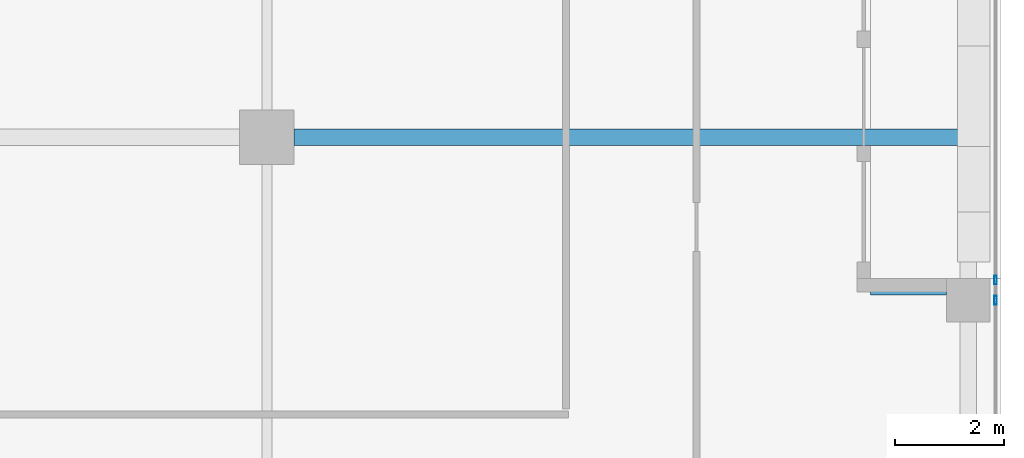
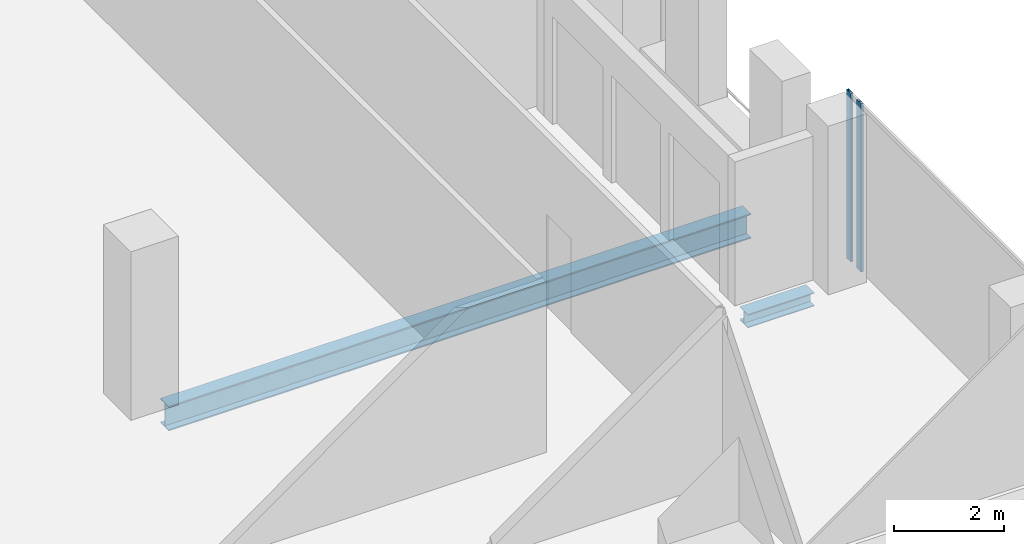
# One storey, part 10 of 29: 2 beams, 2 members, 1 element without a shape of its own.
"""IFC4 building model written with IfcOpenShell, lengths in metres."""

from ifc_helpers import new_model, si_unit, direction, frame, origin, origin_2d, place, context, subcontext, project, spatial, hollow_rectangle, i_section, extrude, source, transform, mapped, material, material_profile, profile_set, type_object, element, aggregate, save


model = new_model("IFC4")

# Units and contexts
model_context = context("Model", 3, precision=1e-05, world=origin(), true_north=direction((0.0, 1.0)))
body_context = subcontext(model_context, "Body", "Model", "MODEL_VIEW")
ifc_project = project(units=[si_unit("LENGTHUNIT", "METRE"), si_unit("AREAUNIT", "SQUARE_METRE"), si_unit("VOLUMEUNIT", "CUBIC_METRE"), si_unit("PLANEANGLEUNIT", "RADIAN"), si_unit("MASSUNIT", "GRAM", prefix="KILO")], contexts=[model_context])

# Site, building, storey
site_placement = place(None, origin())
site = spatial("IfcSite", under=ifc_project, at=site_placement, CompositionType="ELEMENT")
building_placement = place(site_placement, origin())
building = spatial("IfcBuilding", under=site, at=building_placement, Name="Khomas Fold Tower", CompositionType="ELEMENT")
storey_placement = place(building_placement, frame((0.0, 0.0, 326.199951171875)))
storey = spatial("IfcBuildingStorey", under=building, at=storey_placement, Name="L74", CompositionType="ELEMENT", Elevation=326.199951171875)

# Beams
ifc_material_1 = material(Name="Steel S355", Category="steel")
ifc_material_profile_1 = material_profile(ifc_material_1, i_section(OverallWidth=0.300048828125, OverallDepth=0.550048828125, WebThickness=0.014892578125, FlangeThickness=0.029052734375, at=origin_2d()), Name="HE 550 B")
ifc_profile_set_1 = profile_set([ifc_material_profile_1], Name="Steel S355")
beam_type_1 = type_object("IfcBeamType", Name="HE 550 B beam GB4", PredefinedType="BEAM", material=ifc_profile_set_1)
shared_shape_1 = source(origin(), body_context, "Body", "SweptSolid", [
    extrude(i_section(OverallWidth=0.300048828125, OverallDepth=0.550048828125, WebThickness=0.014892578125, FlangeThickness=0.029052734375, at=origin_2d()), origin(), (0.0, 0.0, 1.0), 12.25),
])
beam_1_placement = place(storey_placement, frame((35.0, 22.5, -0.52490234375), z_axis=(1.0, 0.0, 0.0), x_axis=(0.0, 1.0, 0.0)))
element("IfcBeam", 1, at=beam_1_placement, inside=storey, type_object=beam_type_1, Name="GB4", PredefinedType="BEAM", context=body_context, shape_type="MappedRepresentation", body=[
    mapped(shared_shape_1, transform((0.0, 0.0, 0.0))),
])
ifc_material_2 = material(Name="Steel S355", Category="steel")
ifc_material_profile_2 = material_profile(ifc_material_2, i_section(OverallWidth=0.300048828125, OverallDepth=0.300048828125, WebThickness=0.010986328125, FlangeThickness=0.01904296875, at=origin_2d()), Name="HE 300 B")
ifc_profile_set_2 = profile_set([ifc_material_profile_2], Name="Steel S355")
beam_type_2 = type_object("IfcBeamType", Name="HE 300 B beam BB1", PredefinedType="BEAM", material=ifc_profile_set_2)
shared_shape_2 = source(origin(), body_context, "Body", "SweptSolid", [
    extrude(i_section(OverallWidth=0.300048828125, OverallDepth=0.300048828125, WebThickness=0.010986328125, FlangeThickness=0.01904296875, at=origin_2d()), origin(), (0.0, 0.0, 1.0), 1.39990234375),
])
beam_2_placement = place(storey_placement, frame((45.60009765625, 19.75, -0.39990234375), z_axis=(1.0, 0.0, 0.0), x_axis=(0.0, 1.0, 0.0)))
element("IfcBeam", 2, at=beam_2_placement, inside=storey, type_object=beam_type_2, Name="BB1", PredefinedType="BEAM", context=body_context, shape_type="MappedRepresentation", body=[
    mapped(shared_shape_2, transform((0.0, 0.0, 0.0))),
])

# Curtain wall, members
ifc_material_3 = material(Name="Aluminium framed double glazing", Category="aluminium")
curtain_wall_type = type_object("IfcCurtainWallType", Name="SK-Unitised clear-glass wall, upper floors CW3", PredefinedType="NOTDEFINED", material=ifc_material_3)
curtain_wall_placement = place(storey_placement, origin())
curtain_wall = element("IfcCurtainWall", 3, at=curtain_wall_placement, inside=storey, type_object=curtain_wall_type, Name="CW3 run L74 03-0", PredefinedType="NOTDEFINED")
ifc_material_4 = material(Name="Aluminium", Category="aluminium")
ifc_material_profile_3 = material_profile(ifc_material_4, hollow_rectangle(XDim=0.050048828125, YDim=0.159912109375, WallThickness=0.00390625, at=origin_2d()), Name="SK-Unitised clear-glass wall, upper floors mullion CW3-M")
ifc_profile_set_3 = profile_set([ifc_material_profile_3], Name="Aluminium")
member_type = type_object("IfcMemberType", Name="SK-Unitised clear-glass wall, upper floors mullion CW3-M", PredefinedType="MULLION", material=ifc_profile_set_3)
shared_shape_3 = source(origin(), body_context, "Body", "SweptSolid", [
    extrude(hollow_rectangle(XDim=0.050048828125, YDim=0.159912109375, WallThickness=0.00390625, at=origin_2d()), origin(), (0.0, 0.0, 1.0), 3.75),
])
member_1_placement = place(storey_placement, frame((47.89990234375, 19.5, 0.0), z_axis=(0.0, 0.0, 1.0), x_axis=(-1.0, 0.0, 0.0)))
member_1 = element("IfcMember", 4, at=member_1_placement, type_object=member_type, Name="CW3 mullion 3", PredefinedType="MULLION", context=body_context, shape_type="MappedRepresentation", body=[
    mapped(shared_shape_3, transform((0.0, 0.0, 0.0))),
])
member_2_placement = place(storey_placement, frame((47.89990234375, 19.875, 0.0), z_axis=(0.0, 0.0, 1.0), x_axis=(-1.0, 0.0, 0.0)))
member_2 = element("IfcMember", 5, at=member_2_placement, type_object=member_type, Name="CW3 mullion 4", PredefinedType="MULLION", context=body_context, shape_type="MappedRepresentation", body=[
    mapped(shared_shape_3, transform((0.0, 0.0, 0.0))),
])
aggregate(curtain_wall, [member_1, member_2])

save(model, "model.ifc")
